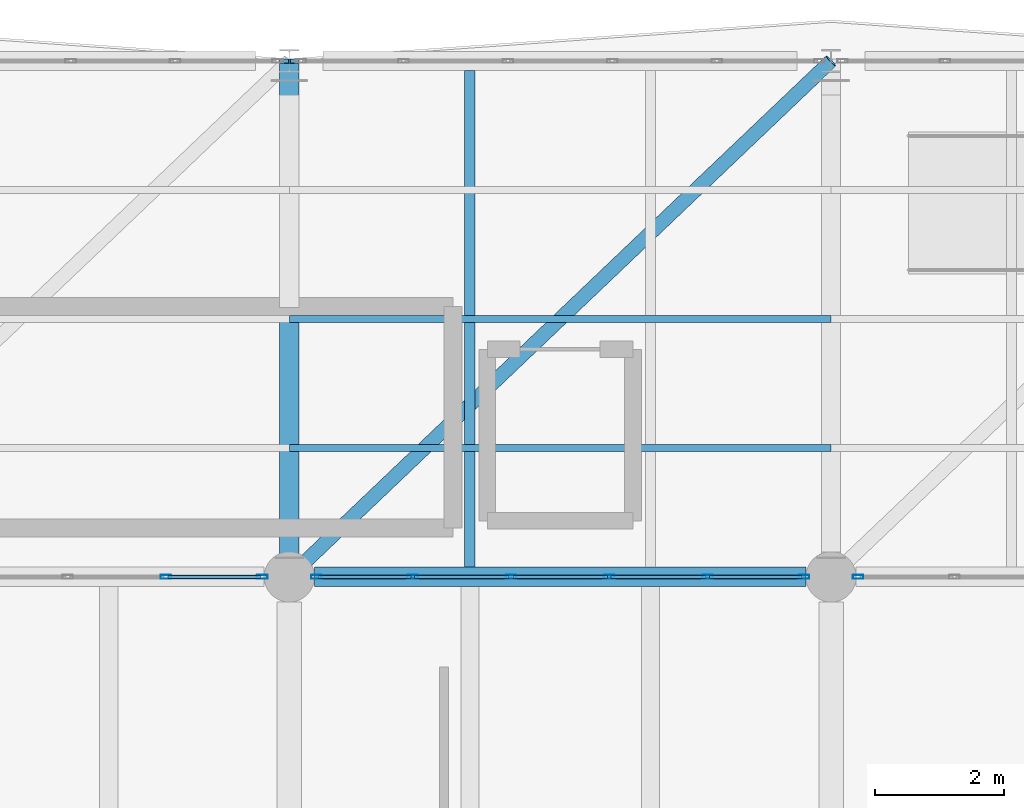
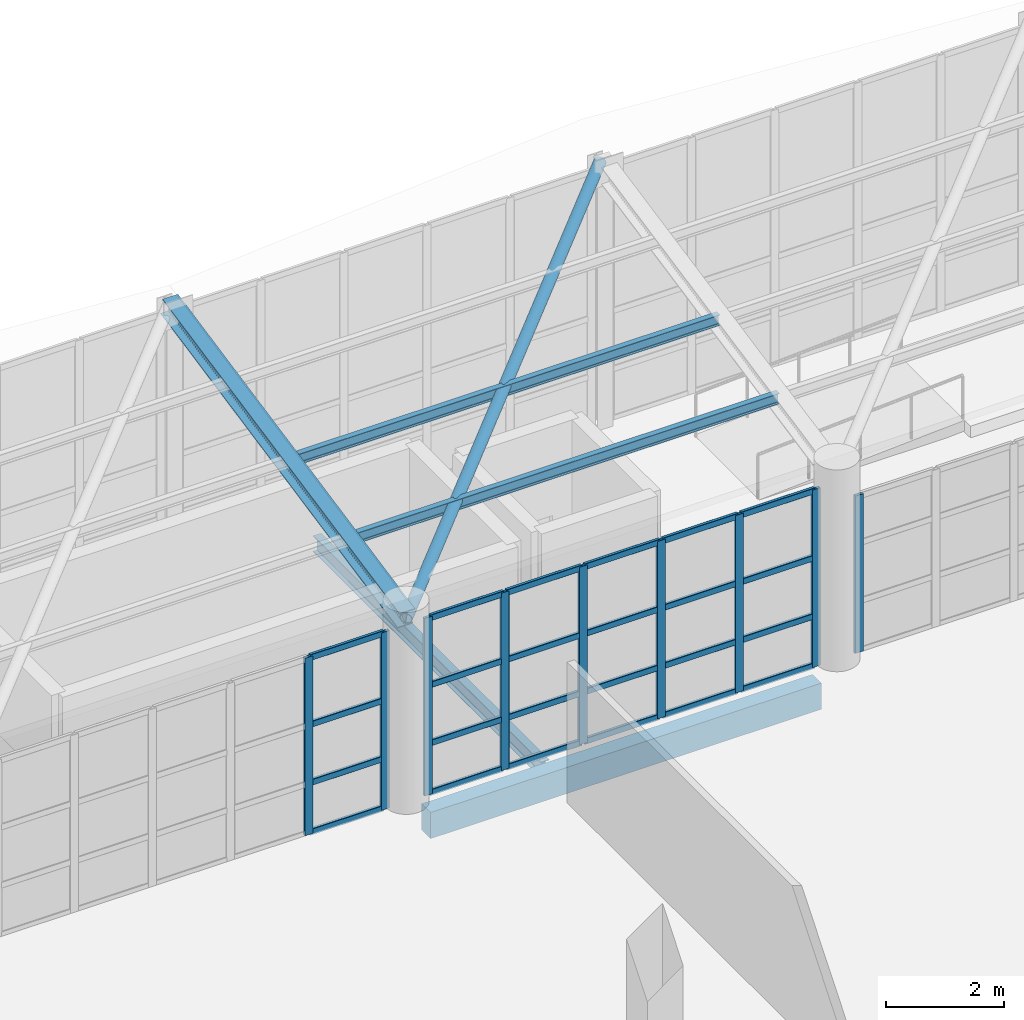
# One storey, part 93 of 177: 37 members, 2 beams, 3 elements without a shape of their own.
"""IFC4 building model written with IfcOpenShell, lengths in metres."""

import ifcopenshell
import ifcopenshell.guid

model = None  # the IFC model being written
_history = None  # IfcOwnerHistory: only IFC2X3 demands one
_inside = {}  # id of a spatial element -> (the spatial element, [elements in it])
_under = {}  # id of a project, library or spatial element -> (it, [spatial elements below it])
_declared = {}  # id of a project -> (the project, [libraries it declares])
_typed = {}  # id of a type object -> (the type object, [elements of that type])
_made_of = {}  # id of a material, layer set ... -> (it, [elements and type objects made of it])


def new_model(schema):
    """Start an empty IFC model of exactly this schema.

    Asked for "IFC4X3", IfcOpenShell would pick the latest addendum, in which some entities
    have other attributes; the version numbers below select the first issue.
    IFC2X3 requires an IfcOwnerHistory on every rooted entity: one is made here for all.
    """
    global model, _history
    if schema == "IFC4X3":
        model = ifcopenshell.file(schema_version=(4, 3, 0, 0))
    else:
        model = ifcopenshell.file(schema=schema)
    _inside.clear()
    _under.clear()
    _declared.clear()
    _typed.clear()
    _made_of.clear()
    _history = None
    if model.schema == "IFC2X3":
        org = make("IfcOrganization", Name="unknown")
        user = make(
            "IfcPersonAndOrganization",
            ThePerson=make("IfcPerson", FamilyName="unknown"),
            TheOrganization=org,
        )
        app = make(
            "IfcApplication",
            ApplicationDeveloper=org,
            Version="unknown",
            ApplicationFullName="unknown",
            ApplicationIdentifier="unknown",
        )
        _history = make(
            "IfcOwnerHistory",
            OwningUser=user,
            OwningApplication=app,
            ChangeAction="ADDED",
            CreationDate=0,
        )
    return model


def make(cls, **values):
    """One entity of the class cls with the attributes given. An attribute that is None is left unset."""
    return model.create_entity(
        cls, **{name: value for name, value in values.items() if value is not None}
    )


def rooted(cls, **values):
    """An entity with a GlobalId (a new one), such as an element, a storey or a relation."""
    return make(cls, GlobalId=ifcopenshell.guid.new(), OwnerHistory=_history, **values)


def si_unit(unit_type, name, prefix=None):
    """IfcSIUnit, for example si_unit("LENGTHUNIT", "METRE", prefix="MILLI")."""
    return make("IfcSIUnit", UnitType=unit_type, Prefix=prefix, Name=name)


def assignment(units):
    """IfcUnitAssignment: the units of a project."""
    return None if units is None else make("IfcUnitAssignment", Units=units)


def point(xyz):
    """IfcCartesianPoint."""
    return None if xyz is None else make("IfcCartesianPoint", Coordinates=xyz)


def direction(xyz):
    """IfcDirection."""
    return None if xyz is None else make("IfcDirection", DirectionRatios=xyz)


def frame(location, z_axis=None, x_axis=None):
    """IfcAxis2Placement3D, a coordinate frame: its origin and axes. An axis left out is left unset."""
    return make(
        "IfcAxis2Placement3D",
        Location=point(location),
        Axis=direction(z_axis),
        RefDirection=direction(x_axis),
    )


def frame_2d(location, x_axis=None):
    """IfcAxis2Placement2D, a coordinate frame in the plane: its origin and x axis."""
    return make(
        "IfcAxis2Placement2D", Location=point(location), RefDirection=direction(x_axis)
    )


def origin():
    """The frame at (0, 0, 0) with its axes left unset."""
    return frame((0.0, 0.0, 0.0))


def origin_2d():
    """The frame at (0, 0) in the plane with its x axis left unset."""
    return frame_2d((0.0, 0.0))


def place(relative_to, where):
    """IfcLocalPlacement: puts the frame where relative to a parent placement (None: the world)."""
    return make(
        "IfcLocalPlacement", PlacementRelTo=relative_to, RelativePlacement=where
    )


def context(
    kind, dimensions, precision=None, world=None, true_north=None, identifier=None
):
    """IfcGeometricRepresentationContext, for example the 3D "Model" context."""
    return make(
        "IfcGeometricRepresentationContext",
        ContextIdentifier=identifier,
        ContextType=kind,
        CoordinateSpaceDimension=dimensions,
        Precision=precision,
        WorldCoordinateSystem=world,
        TrueNorth=true_north,
    )


def subcontext(parent, identifier, kind, view, scale=None):
    """IfcGeometricRepresentationSubContext, for example "Body" below "Model"."""
    return make(
        "IfcGeometricRepresentationSubContext",
        ContextIdentifier=identifier,
        ContextType=kind,
        ParentContext=parent,
        TargetScale=scale,
        TargetView=view,
    )


def project(units=None, contexts=None):
    """IfcProject with its units and contexts."""
    return rooted(
        "IfcProject",
        Name="project",
        RepresentationContexts=contexts,
        UnitsInContext=assignment(units),
    )


def spatial(cls, under=None, at=None, **own):
    """A site, building, storey or space (cls), placed at a placement, below another one or the project."""
    s = rooted(cls, ObjectPlacement=at, **own)
    if under is not None:
        _under.setdefault(under.id(), (under, []))[1].append(s)
    return s


def profile(cls, at=None, kind="AREA", **sizes):
    """A parametric profile (cls). Its sizes go by their IFC names, for example OverallWidth=200.0."""
    return make(cls, ProfileType=kind, Position=at, **sizes)


def rectangle(**sizes):
    """IfcRectangleProfileDef."""
    return profile("IfcRectangleProfileDef", **sizes)


def hollow_rectangle(**sizes):
    """IfcRectangleHollowProfileDef."""
    return profile("IfcRectangleHollowProfileDef", **sizes)


def hollow_circle(**sizes):
    """IfcCircleHollowProfileDef."""
    return profile("IfcCircleHollowProfileDef", **sizes)


def i_section(**sizes):
    """IfcIShapeProfileDef."""
    return profile("IfcIShapeProfileDef", **sizes)


def extrude(swept, where, along, depth):
    """IfcExtrudedAreaSolid: the profile swept, set in the frame where, extruded along a direction by depth."""
    return make(
        "IfcExtrudedAreaSolid",
        SweptArea=swept,
        Position=where,
        ExtrudedDirection=direction(along),
        Depth=depth,
    )


def shape(context_of_items, identifier, shape_type, items):
    """IfcShapeRepresentation: the items that make up one representation, for example the "Body"."""
    return make(
        "IfcShapeRepresentation",
        ContextOfItems=context_of_items,
        RepresentationIdentifier=identifier,
        RepresentationType=shape_type,
        Items=items,
    )


def material(Name=None, Category=None):
    """IfcMaterial."""
    return make("IfcMaterial", Name=Name, Category=Category)


def layer(
    of_material, thickness, ventilated=None, Name=None, Category=None, Priority=None
):
    """IfcMaterialLayer: one layer of a wall or slab, of a material (None: an air gap)."""
    return make(
        "IfcMaterialLayer",
        Material=of_material,
        LayerThickness=thickness,
        IsVentilated=ventilated,
        Name=Name,
        Category=Category,
        Priority=Priority,
    )


def layer_set(layers, Name=None):
    """IfcMaterialLayerSet."""
    return make("IfcMaterialLayerSet", MaterialLayers=layers, LayerSetName=Name)


def material_profile(
    of_material, cross_section, Name=None, Category=None, Priority=None
):
    """IfcMaterialProfile: a cross section and its material."""
    return make(
        "IfcMaterialProfile",
        Name=Name,
        Material=of_material,
        Profile=cross_section,
        Priority=Priority,
        Category=Category,
    )


def profile_set(profiles, Name=None, composite=None):
    """IfcMaterialProfileSet."""
    return make(
        "IfcMaterialProfileSet",
        Name=Name,
        MaterialProfiles=profiles,
        CompositeProfile=composite,
    )


def made_of(thing, what):
    """Note that an element or type object is made of a material, layer set ...; save() writes the relation."""
    if what is not None:
        _made_of.setdefault(what.id(), (what, []))[1].append(thing)
    return thing


def type_object(cls, material=None, **own):
    """A type object (cls), such as IfcWallType, which elements share."""
    return made_of(rooted(cls, **own), material)


def element(
    cls,
    number,
    at=None,
    inside=None,
    cuts=None,
    type_object=None,
    material=None,
    context=None,
    identifier="Body",
    shape_type=None,
    held_by="IfcProductDefinitionShape",
    body=None,
    shapes=None,
    **own,
):
    """One element of the class cls, such as IfcWall. Its Tag is "e" and its number.

    at: its placement. inside: the storey or other place that contains it. cuts: it is an
    opening in that element (IfcRelVoidsElement). A single representation is given by context,
    identifier, shape_type and body (its items); several are given by shapes. held_by: the class
    of the entity that holds the representations. save() writes the other relations.
    """
    e = rooted(cls, Tag="e%d" % number, ObjectPlacement=at, **own)
    if body is not None:
        shapes = [shape(context, identifier, shape_type, body)]
    if shapes is not None:
        e.Representation = make(held_by, Representations=shapes)
    if inside is not None:
        _inside.setdefault(inside.id(), (inside, []))[1].append(e)
    if cuts is not None:
        rooted(
            "IfcRelVoidsElement", RelatingBuildingElement=cuts, RelatedOpeningElement=e
        )
    if type_object is not None:
        _typed.setdefault(type_object.id(), (type_object, []))[1].append(e)
    return made_of(e, material)


def aggregate(whole, parts):
    """IfcRelAggregates: a whole, such as a stair, and the parts it consists of."""
    return rooted("IfcRelAggregates", RelatingObject=whole, RelatedObjects=parts)


def save(model, path):
    """Write the relations noted so far, then the file.

    IfcRelAggregates (storeys below a building ...), IfcRelContainedInSpatialStructure (elements
    in a storey), IfcRelDefinesByType, IfcRelAssociatesMaterial and IfcRelDeclares: one each for
    every whole, place, type object, material and project.
    """
    for whole, parts in _under.values():
        aggregate(whole, parts)
    for where, things in _inside.values():
        rooted(
            "IfcRelContainedInSpatialStructure",
            RelatedElements=things,
            RelatingStructure=where,
        )
    for kind, things in _typed.values():
        rooted("IfcRelDefinesByType", RelatedObjects=things, RelatingType=kind)
    for what, things in _made_of.values():
        rooted("IfcRelAssociatesMaterial", RelatedObjects=things, RelatingMaterial=what)
    for by, libraries in _declared.values():
        rooted("IfcRelDeclares", RelatingContext=by, RelatedDefinitions=libraries)
    model.write(path)


model = new_model("IFC4")

# Units and contexts
model_context = context("Model", 3, precision=1e-05, world=origin(), true_north=direction((0.0, 1.0)))
body_context = subcontext(model_context, "Body", "Model", "MODEL_VIEW")
ifc_project = project(units=[si_unit("LENGTHUNIT", "METRE"), si_unit("AREAUNIT", "SQUARE_METRE"), si_unit("VOLUMEUNIT", "CUBIC_METRE"), si_unit("PLANEANGLEUNIT", "RADIAN"), si_unit("MASSUNIT", "GRAM", prefix="KILO"), si_unit("THERMODYNAMICTEMPERATUREUNIT", "KELVIN"), si_unit("POWERUNIT", "WATT")], contexts=[model_context])

# Site, building, storey
site_placement = place(None, origin())
site = spatial("IfcSite", under=ifc_project, at=site_placement, CompositionType="ELEMENT")
building_placement = place(site_placement, origin())
building = spatial("IfcBuilding", under=site, at=building_placement, Name="Mavoryth Pier Ferry Terminal", CompositionType="ELEMENT")
storey_placement = place(building_placement, frame((0.0, 0.0, 5.43994140625)))
storey = spatial("IfcBuildingStorey", under=building, at=storey_placement, Name="L01", CompositionType="ELEMENT", Elevation=5.43994140625)

# Member
ifc_material_1 = material(Name="Steel S355J2", Category="steel")
ifc_material_profile_1 = material_profile(ifc_material_1, hollow_circle(Radius=0.109619140625, WallThickness=0.010009765625, at=origin_2d()), Name="CHS 219.1x10.0", Category="steel")
ifc_profile_set_1 = profile_set([ifc_material_profile_1], Name="Steel S355J2 - CHS 219.1x10.0")
member_type_1 = type_object("IfcMemberType", Name="Brace-Diag-CHS219", PredefinedType="BRACE", material=ifc_profile_set_1)
member_1_placement = place(storey_placement, frame((67.199951171875, 106.0, 3.771240234375), z_axis=(0.717118778547, 0.682958355435, 0.138955180532), x_axis=(-0.689648865971, 0.724143937118, 0.0)))
element("IfcMember", 1, at=member_1_placement, inside=storey, type_object=member_type_1, Name="Steel Member MB-L01-0261", PredefinedType="BRACE", context=body_context, shape_type="SweptSolid", body=[
    extrude(hollow_circle(Radius=0.109619140625, WallThickness=0.010009765625, at=origin_2d()), origin(), (0.0, 0.0, 1.0), 11.713623046875),
])

# Beam
ifc_material_profile_2 = material_profile(ifc_material_1, i_section(OverallWidth=0.159912109375, OverallDepth=0.330078125, WebThickness=0.007568359375, FlangeThickness=0.011474609375, FilletRadius=0.01806640625, at=origin_2d()), Name="IPE 330", Category="steel")
ifc_profile_set_2 = profile_set([ifc_material_profile_2], Name="Steel S355J2 - IPE 330")
beam_type_1 = type_object("IfcBeamType", Name="Joist-Steel-IPE330", PredefinedType="JOIST", material=ifc_profile_set_2)
beam_1_placement = place(storey_placement, frame((70.0, 106.14990234375, -0.405029296875), z_axis=(0.0, 1.0, 0.0), x_axis=(-1.0, 0.0, 0.0)))
element("IfcBeam", 2, at=beam_1_placement, inside=storey, type_object=beam_type_1, Name="Beam B01-SJ03-0293", PredefinedType="JOIST", context=body_context, shape_type="SweptSolid", body=[
    extrude(i_section(OverallWidth=0.159912109375, OverallDepth=0.330078125, WebThickness=0.007568359375, FlangeThickness=0.011474609375, FilletRadius=0.01806640625, at=origin_2d()), origin(), (0.0, 0.0, 1.0), 7.7001953125),
])

# Curtain wall, members
ifc_material_2 = material(Name="Anodised Aluminium and Solar-Control Low-E Glass", Category="aluminium")
ifc_layer = layer(ifc_material_2, 0.159912109375, Name="Anodised Aluminium and Solar-Control Low-E Glass", Category="aluminium")
ifc_layer_set = layer_set([ifc_layer], Name="Anodised Aluminium and Solar-Control Low-E Glass - CW-Arrivals-Mod1400")
curtain_wall_type = type_object("IfcCurtainWallType", Name="CW-Arrivals-Mod1400", PredefinedType="USERDEFINED", material=ifc_layer_set)
curtain_wall_1_placement = place(storey_placement, origin())
curtain_wall_1 = element("IfcCurtainWall", 3, at=curtain_wall_1_placement, inside=storey, type_object=curtain_wall_type, Name="Curtain Wall CW-0122-052", ObjectType="UNITISED CURTAIN WALL", PredefinedType="USERDEFINED")
ifc_material_3 = material(Name="Anodised Aluminium EN AW-6063", Category="aluminium")
ifc_material_profile_3 = material_profile(ifc_material_3, hollow_rectangle(XDim=0.06005859375, YDim=0.1650390625, WallThickness=0.00390625, InnerFilletRadius=0.00390625, OuterFilletRadius=0.008056640625, at=origin_2d()), Name="AL-MULL 165x60x4", Category="aluminium")
ifc_profile_set_3 = profile_set([ifc_material_profile_3], Name="Anodised Aluminium EN AW-6063 - AL-MULL 165x60x4")
member_type_2 = type_object("IfcMemberType", Name="Mullion-Alum-165x60", PredefinedType="MULLION", material=ifc_profile_set_3)
member_2_placement = place(storey_placement, frame((66.780029296875, 106.0, 0.0), z_axis=(0.0, 0.0, 1.0), x_axis=(0.0, -1.0, 0.0)))
member_2 = element("IfcMember", 4, at=member_2_placement, type_object=member_type_2, Name="CW04 mullion 1", PredefinedType="MULLION", context=body_context, shape_type="SweptSolid", body=[
    extrude(hollow_rectangle(XDim=0.06005859375, YDim=0.1650390625, WallThickness=0.00390625, InnerFilletRadius=0.00390625, OuterFilletRadius=0.008056640625, at=origin_2d()), origin(), (0.0, 0.0, 1.0), 3.66015625),
])
member_3_placement = place(storey_placement, frame((65.285888671875, 106.0, 0.0), z_axis=(0.0, 0.0, 1.0), x_axis=(0.0, -1.0, 0.0)))
member_3 = element("IfcMember", 5, at=member_3_placement, type_object=member_type_2, Name="CW04 mullion 2", PredefinedType="MULLION", context=body_context, shape_type="SweptSolid", body=[
    extrude(hollow_rectangle(XDim=0.06005859375, YDim=0.1650390625, WallThickness=0.00390625, InnerFilletRadius=0.00390625, OuterFilletRadius=0.008056640625, at=origin_2d()), origin(), (0.0, 0.0, 1.0), 3.66015625),
])

curtain_wall_2_placement = place(storey_placement, origin())
curtain_wall_2 = element("IfcCurtainWall", 6, at=curtain_wall_2_placement, inside=storey, type_object=curtain_wall_type, Name="Curtain Wall CW-0122-055", ObjectType="UNITISED CURTAIN WALL", PredefinedType="USERDEFINED")
member_4_placement = place(storey_placement, frame((75.179931640625, 106.0, 0.0), z_axis=(0.0, 0.0, 1.0), x_axis=(0.0, -1.0, 0.0)))
member_4 = element("IfcMember", 7, at=member_4_placement, type_object=member_type_2, Name="CW04 mullion 1", PredefinedType="MULLION", context=body_context, shape_type="SweptSolid", body=[
    extrude(hollow_rectangle(XDim=0.06005859375, YDim=0.1650390625, WallThickness=0.00390625, InnerFilletRadius=0.00390625, OuterFilletRadius=0.008056640625, at=origin_2d()), origin(), (0.0, 0.0, 1.0), 3.66015625),
])
member_5_placement = place(storey_placement, frame((73.68603515625, 106.0, 0.0), z_axis=(0.0, 0.0, 1.0), x_axis=(0.0, -1.0, 0.0)))
member_5 = element("IfcMember", 8, at=member_5_placement, type_object=member_type_2, Name="CW04 mullion 2", PredefinedType="MULLION", context=body_context, shape_type="SweptSolid", body=[
    extrude(hollow_rectangle(XDim=0.06005859375, YDim=0.1650390625, WallThickness=0.00390625, InnerFilletRadius=0.00390625, OuterFilletRadius=0.008056640625, at=origin_2d()), origin(), (0.0, 0.0, 1.0), 3.66015625),
])
member_6_placement = place(storey_placement, frame((72.162109375, 106.0, 0.0), z_axis=(0.0, 0.0, 1.0), x_axis=(0.0, -1.0, 0.0)))
member_6 = element("IfcMember", 9, at=member_6_placement, type_object=member_type_2, Name="CW04 mullion 3", PredefinedType="MULLION", context=body_context, shape_type="SweptSolid", body=[
    extrude(hollow_rectangle(XDim=0.06005859375, YDim=0.1650390625, WallThickness=0.00390625, InnerFilletRadius=0.00390625, OuterFilletRadius=0.008056640625, at=origin_2d()), origin(), (0.0, 0.0, 1.0), 3.66015625),
])
member_7_placement = place(storey_placement, frame((70.637939453125, 106.0, 0.0), z_axis=(0.0, 0.0, 1.0), x_axis=(0.0, -1.0, 0.0)))
member_7 = element("IfcMember", 10, at=member_7_placement, type_object=member_type_2, Name="CW04 mullion 4", PredefinedType="MULLION", context=body_context, shape_type="SweptSolid", body=[
    extrude(hollow_rectangle(XDim=0.06005859375, YDim=0.1650390625, WallThickness=0.00390625, InnerFilletRadius=0.00390625, OuterFilletRadius=0.008056640625, at=origin_2d()), origin(), (0.0, 0.0, 1.0), 3.66015625),
])
member_8_placement = place(storey_placement, frame((69.114013671875, 106.0, 0.0), z_axis=(0.0, 0.0, 1.0), x_axis=(0.0, -1.0, 0.0)))
member_8 = element("IfcMember", 11, at=member_8_placement, type_object=member_type_2, Name="CW04 mullion 5", PredefinedType="MULLION", context=body_context, shape_type="SweptSolid", body=[
    extrude(hollow_rectangle(XDim=0.06005859375, YDim=0.1650390625, WallThickness=0.00390625, InnerFilletRadius=0.00390625, OuterFilletRadius=0.008056640625, at=origin_2d()), origin(), (0.0, 0.0, 1.0), 3.66015625),
])
member_9_placement = place(storey_placement, frame((67.6201171875, 106.0, 0.0), z_axis=(0.0, 0.0, 1.0), x_axis=(0.0, -1.0, 0.0)))
member_9 = element("IfcMember", 12, at=member_9_placement, type_object=member_type_2, Name="CW04 mullion 6", PredefinedType="MULLION", context=body_context, shape_type="SweptSolid", body=[
    extrude(hollow_rectangle(XDim=0.06005859375, YDim=0.1650390625, WallThickness=0.00390625, InnerFilletRadius=0.00390625, OuterFilletRadius=0.008056640625, at=origin_2d()), origin(), (0.0, 0.0, 1.0), 3.66015625),
])

# Curtain wall, member
curtain_wall_3_placement = place(storey_placement, origin())
curtain_wall_3 = element("IfcCurtainWall", 13, at=curtain_wall_3_placement, inside=storey, type_object=curtain_wall_type, Name="Curtain Wall CW-0122-058", ObjectType="UNITISED CURTAIN WALL", PredefinedType="USERDEFINED")
member_10_placement = place(storey_placement, frame((76.02001953125, 106.0, 0.0), z_axis=(0.0, 0.0, 1.0), x_axis=(0.0, -1.0, 0.0)))
member_10 = element("IfcMember", 14, at=member_10_placement, type_object=member_type_2, Name="CW04 mullion 6", PredefinedType="MULLION", context=body_context, shape_type="SweptSolid", body=[
    extrude(hollow_rectangle(XDim=0.06005859375, YDim=0.1650390625, WallThickness=0.00390625, InnerFilletRadius=0.00390625, OuterFilletRadius=0.008056640625, at=origin_2d()), origin(), (0.0, 0.0, 1.0), 3.2451171875),
])
aggregate(curtain_wall_3, [member_10])

# Members
ifc_material_profile_4 = material_profile(ifc_material_1, i_section(OverallWidth=0.110107421875, OverallDepth=0.219970703125, WebThickness=0.005859375, FlangeThickness=0.00927734375, FilletRadius=0.011962890625, at=origin_2d()), Name="IPE 220", Category="steel")
ifc_profile_set_4 = profile_set([ifc_material_profile_4], Name="Steel S355J2 - IPE 220")
member_type_3 = type_object("IfcMemberType", Name="Purlin-Roof-IPE220", PredefinedType="PURLIN", material=ifc_profile_set_4)
for number, where, z_axis, x_axis, name in (
    (15, (67.199951171875, 108.0, 4.17822265625), (1.0, 0.0, 0.0), (0.0, 1.0, 0.0), "Steel Member MB-L01-0258"),
    (16, (67.199951171875, 110.0, 4.5849609375), (1.0, 0.0, 0.0), (0.0, 1.0, 0.0), "Steel Member MB-L01-0259"),
):
    element("IfcMember", number, at=place(storey_placement, frame(where, z_axis=z_axis, x_axis=x_axis)), inside=storey, type_object=member_type_3, Name=name, PredefinedType="PURLIN", context=body_context, shape_type="SweptSolid", body=[
        extrude(i_section(OverallWidth=0.110107421875, OverallDepth=0.219970703125, WebThickness=0.005859375, FlangeThickness=0.00927734375, FilletRadius=0.011962890625, at=origin_2d()), origin(), (0.0, 0.0, 1.0), 8.400146484375),
    ])
ifc_material_profile_5 = material_profile(ifc_material_1, i_section(OverallWidth=0.300048828125, OverallDepth=0.35009765625, WebThickness=0.010009765625, FlangeThickness=0.017578125, FilletRadius=0.027099609375, at=origin_2d()), Name="HEA 360", Category="steel")
ifc_profile_set_5 = profile_set([ifc_material_profile_5], Name="Steel S355J2 - HEA 360")
member_type_4 = type_object("IfcMemberType", Name="Rafter-Gallery-HEA360", PredefinedType="RAFTER", material=ifc_profile_set_5)
member_11_placement = place(storey_placement, frame((67.199951171875, 106.0, 3.771240234375), z_axis=(0.0, 0.979923097627, 0.199375832882), x_axis=(-1.0, 0.0, 0.0)))
element("IfcMember", 17, at=member_11_placement, inside=storey, type_object=member_type_4, Name="Steel Member MB-L01-0239", PredefinedType="RAFTER", context=body_context, shape_type="SweptSolid", body=[
    extrude(i_section(OverallWidth=0.300048828125, OverallDepth=0.35009765625, WebThickness=0.010009765625, FlangeThickness=0.017578125, FilletRadius=0.027099609375, at=origin_2d()), origin(), (0.0, 0.0, 1.0), 8.163818359375),
])

# Beam
ifc_material_4 = material(Name="Concrete C35/45", Category="concrete")
ifc_material_profile_6 = material_profile(ifc_material_4, rectangle(XDim=0.300048828125, YDim=0.5400390625, at=origin_2d()), Name="RC 300x540", Category="concrete")
ifc_profile_set_6 = profile_set([ifc_material_profile_6], Name="Concrete C35/45 - RC 300x540")
beam_type_2 = type_object("IfcBeamType", Name="Spandrel-RC-300x540", PredefinedType="SPANDREL", material=ifc_profile_set_6)
beam_2_placement = place(storey_placement, frame((67.590087890625, 106.0, -0.550048828125), z_axis=(1.0, 0.0, 0.0), x_axis=(0.0, 1.0, 0.0)))
element("IfcBeam", 18, at=beam_2_placement, inside=storey, type_object=beam_type_2, Name="Beam B01-SP02-0201", PredefinedType="SPANDREL", context=body_context, shape_type="SweptSolid", body=[
    extrude(rectangle(XDim=0.300048828125, YDim=0.5400390625, at=origin_2d()), origin(), (0.0, 0.0, 1.0), 7.619873046875),
])

# Member
ifc_material_profile_7 = material_profile(ifc_material_3, hollow_rectangle(XDim=0.06005859375, YDim=0.125, WallThickness=0.00390625, InnerFilletRadius=0.00390625, OuterFilletRadius=0.008056640625, at=origin_2d()), Name="AL-TRAN 125x60x4", Category="aluminium")
ifc_profile_set_7 = profile_set([ifc_material_profile_7], Name="Anodised Aluminium EN AW-6063 - AL-TRAN 125x60x4")
member_type_5 = type_object("IfcMemberType", Name="Transom-Alum-125x60", PredefinedType="USERDEFINED", material=ifc_profile_set_7)
member_12_placement = place(storey_placement, frame((66.75, 106.0, 0.030029296875), z_axis=(-1.0, 0.0, 0.0), x_axis=(0.0, -1.0, 0.0)))
member_12 = element("IfcMember", 19, at=member_12_placement, type_object=member_type_5, Name="CW04 transom 1.1", ObjectType="TRANSOM", PredefinedType="USERDEFINED", context=body_context, shape_type="SweptSolid", body=[
    extrude(hollow_rectangle(XDim=0.06005859375, YDim=0.125, WallThickness=0.00390625, InnerFilletRadius=0.00390625, OuterFilletRadius=0.008056640625, at=origin_2d()), origin(), (0.0, 0.0, 1.0), 1.43408203125),
])

member_13_placement = place(storey_placement, frame((66.75, 106.0, 1.050048828125), z_axis=(-1.0, 0.0, 0.0), x_axis=(0.0, -1.0, 0.0)))
member_13 = element("IfcMember", 20, at=member_13_placement, type_object=member_type_5, Name="CW04 transom 1.2", ObjectType="TRANSOM", PredefinedType="USERDEFINED", context=body_context, shape_type="SweptSolid", body=[
    extrude(hollow_rectangle(XDim=0.06005859375, YDim=0.125, WallThickness=0.00390625, InnerFilletRadius=0.00390625, OuterFilletRadius=0.008056640625, at=origin_2d()), origin(), (0.0, 0.0, 1.0), 1.43408203125),
])

member_14_placement = place(storey_placement, frame((66.75, 106.0, 2.25), z_axis=(-1.0, 0.0, 0.0), x_axis=(0.0, -1.0, 0.0)))
member_14 = element("IfcMember", 21, at=member_14_placement, type_object=member_type_5, Name="CW04 transom 1.3", ObjectType="TRANSOM", PredefinedType="USERDEFINED", context=body_context, shape_type="SweptSolid", body=[
    extrude(hollow_rectangle(XDim=0.06005859375, YDim=0.125, WallThickness=0.00390625, InnerFilletRadius=0.00390625, OuterFilletRadius=0.008056640625, at=origin_2d()), origin(), (0.0, 0.0, 1.0), 1.43408203125),
])

member_15_placement = place(storey_placement, frame((66.75, 106.0, 3.630126953125), z_axis=(-1.0, 0.0, 0.0), x_axis=(0.0, -1.0, 0.0)))
member_15 = element("IfcMember", 22, at=member_15_placement, type_object=member_type_5, Name="CW04 transom 1.4", ObjectType="TRANSOM", PredefinedType="USERDEFINED", context=body_context, shape_type="SweptSolid", body=[
    extrude(hollow_rectangle(XDim=0.06005859375, YDim=0.125, WallThickness=0.00390625, InnerFilletRadius=0.00390625, OuterFilletRadius=0.008056640625, at=origin_2d()), origin(), (0.0, 0.0, 1.0), 1.43408203125),
])

aggregate(curtain_wall_1, [member_2, member_3, member_12, member_13, member_14, member_15])

member_16_placement = place(storey_placement, frame((75.14990234375, 106.0, 0.030029296875), z_axis=(-1.0, 0.0, 0.0), x_axis=(0.0, -1.0, 0.0)))
member_16 = element("IfcMember", 23, at=member_16_placement, type_object=member_type_5, Name="CW04 transom 1.1", ObjectType="TRANSOM", PredefinedType="USERDEFINED", context=body_context, shape_type="SweptSolid", body=[
    extrude(hollow_rectangle(XDim=0.06005859375, YDim=0.125, WallThickness=0.00390625, InnerFilletRadius=0.00390625, OuterFilletRadius=0.008056640625, at=origin_2d()), origin(), (0.0, 0.0, 1.0), 1.433837890625),
])

member_17_placement = place(storey_placement, frame((75.14990234375, 106.0, 1.050048828125), z_axis=(-1.0, 0.0, 0.0), x_axis=(0.0, -1.0, 0.0)))
member_17 = element("IfcMember", 24, at=member_17_placement, type_object=member_type_5, Name="CW04 transom 1.2", ObjectType="TRANSOM", PredefinedType="USERDEFINED", context=body_context, shape_type="SweptSolid", body=[
    extrude(hollow_rectangle(XDim=0.06005859375, YDim=0.125, WallThickness=0.00390625, InnerFilletRadius=0.00390625, OuterFilletRadius=0.008056640625, at=origin_2d()), origin(), (0.0, 0.0, 1.0), 1.433837890625),
])

member_18_placement = place(storey_placement, frame((75.14990234375, 106.0, 2.25), z_axis=(-1.0, 0.0, 0.0), x_axis=(0.0, -1.0, 0.0)))
member_18 = element("IfcMember", 25, at=member_18_placement, type_object=member_type_5, Name="CW04 transom 1.3", ObjectType="TRANSOM", PredefinedType="USERDEFINED", context=body_context, shape_type="SweptSolid", body=[
    extrude(hollow_rectangle(XDim=0.06005859375, YDim=0.125, WallThickness=0.00390625, InnerFilletRadius=0.00390625, OuterFilletRadius=0.008056640625, at=origin_2d()), origin(), (0.0, 0.0, 1.0), 1.433837890625),
])

member_19_placement = place(storey_placement, frame((75.14990234375, 106.0, 3.630126953125), z_axis=(-1.0, 0.0, 0.0), x_axis=(0.0, -1.0, 0.0)))
member_19 = element("IfcMember", 26, at=member_19_placement, type_object=member_type_5, Name="CW04 transom 1.4", ObjectType="TRANSOM", PredefinedType="USERDEFINED", context=body_context, shape_type="SweptSolid", body=[
    extrude(hollow_rectangle(XDim=0.06005859375, YDim=0.125, WallThickness=0.00390625, InnerFilletRadius=0.00390625, OuterFilletRadius=0.008056640625, at=origin_2d()), origin(), (0.0, 0.0, 1.0), 1.433837890625),
])

member_20_placement = place(storey_placement, frame((73.656005859375, 106.0, 0.030029296875), z_axis=(-1.0, 0.0, 0.0), x_axis=(0.0, -1.0, 0.0)))
member_20 = element("IfcMember", 27, at=member_20_placement, type_object=member_type_5, Name="CW04 transom 2.1", ObjectType="TRANSOM", PredefinedType="USERDEFINED", context=body_context, shape_type="SweptSolid", body=[
    extrude(hollow_rectangle(XDim=0.06005859375, YDim=0.125, WallThickness=0.00390625, InnerFilletRadius=0.00390625, OuterFilletRadius=0.008056640625, at=origin_2d()), origin(), (0.0, 0.0, 1.0), 1.464111328125),
])

member_21_placement = place(storey_placement, frame((73.656005859375, 106.0, 1.050048828125), z_axis=(-1.0, 0.0, 0.0), x_axis=(0.0, -1.0, 0.0)))
member_21 = element("IfcMember", 28, at=member_21_placement, type_object=member_type_5, Name="CW04 transom 2.2", ObjectType="TRANSOM", PredefinedType="USERDEFINED", context=body_context, shape_type="SweptSolid", body=[
    extrude(hollow_rectangle(XDim=0.06005859375, YDim=0.125, WallThickness=0.00390625, InnerFilletRadius=0.00390625, OuterFilletRadius=0.008056640625, at=origin_2d()), origin(), (0.0, 0.0, 1.0), 1.464111328125),
])

member_22_placement = place(storey_placement, frame((73.656005859375, 106.0, 2.25), z_axis=(-1.0, 0.0, 0.0), x_axis=(0.0, -1.0, 0.0)))
member_22 = element("IfcMember", 29, at=member_22_placement, type_object=member_type_5, Name="CW04 transom 2.3", ObjectType="TRANSOM", PredefinedType="USERDEFINED", context=body_context, shape_type="SweptSolid", body=[
    extrude(hollow_rectangle(XDim=0.06005859375, YDim=0.125, WallThickness=0.00390625, InnerFilletRadius=0.00390625, OuterFilletRadius=0.008056640625, at=origin_2d()), origin(), (0.0, 0.0, 1.0), 1.464111328125),
])

member_23_placement = place(storey_placement, frame((73.656005859375, 106.0, 3.630126953125), z_axis=(-1.0, 0.0, 0.0), x_axis=(0.0, -1.0, 0.0)))
member_23 = element("IfcMember", 30, at=member_23_placement, type_object=member_type_5, Name="CW04 transom 2.4", ObjectType="TRANSOM", PredefinedType="USERDEFINED", context=body_context, shape_type="SweptSolid", body=[
    extrude(hollow_rectangle(XDim=0.06005859375, YDim=0.125, WallThickness=0.00390625, InnerFilletRadius=0.00390625, OuterFilletRadius=0.008056640625, at=origin_2d()), origin(), (0.0, 0.0, 1.0), 1.464111328125),
])

member_24_placement = place(storey_placement, frame((72.132080078125, 106.0, 0.030029296875), z_axis=(-1.0, 0.0, 0.0), x_axis=(0.0, -1.0, 0.0)))
member_24 = element("IfcMember", 31, at=member_24_placement, type_object=member_type_5, Name="CW04 transom 3.1", ObjectType="TRANSOM", PredefinedType="USERDEFINED", context=body_context, shape_type="SweptSolid", body=[
    extrude(hollow_rectangle(XDim=0.06005859375, YDim=0.125, WallThickness=0.00390625, InnerFilletRadius=0.00390625, OuterFilletRadius=0.008056640625, at=origin_2d()), origin(), (0.0, 0.0, 1.0), 1.464111328125),
])

member_25_placement = place(storey_placement, frame((72.132080078125, 106.0, 1.050048828125), z_axis=(-1.0, 0.0, 0.0), x_axis=(0.0, -1.0, 0.0)))
member_25 = element("IfcMember", 32, at=member_25_placement, type_object=member_type_5, Name="CW04 transom 3.2", ObjectType="TRANSOM", PredefinedType="USERDEFINED", context=body_context, shape_type="SweptSolid", body=[
    extrude(hollow_rectangle(XDim=0.06005859375, YDim=0.125, WallThickness=0.00390625, InnerFilletRadius=0.00390625, OuterFilletRadius=0.008056640625, at=origin_2d()), origin(), (0.0, 0.0, 1.0), 1.464111328125),
])

member_26_placement = place(storey_placement, frame((72.132080078125, 106.0, 2.25), z_axis=(-1.0, 0.0, 0.0), x_axis=(0.0, -1.0, 0.0)))
member_26 = element("IfcMember", 33, at=member_26_placement, type_object=member_type_5, Name="CW04 transom 3.3", ObjectType="TRANSOM", PredefinedType="USERDEFINED", context=body_context, shape_type="SweptSolid", body=[
    extrude(hollow_rectangle(XDim=0.06005859375, YDim=0.125, WallThickness=0.00390625, InnerFilletRadius=0.00390625, OuterFilletRadius=0.008056640625, at=origin_2d()), origin(), (0.0, 0.0, 1.0), 1.464111328125),
])

member_27_placement = place(storey_placement, frame((72.132080078125, 106.0, 3.630126953125), z_axis=(-1.0, 0.0, 0.0), x_axis=(0.0, -1.0, 0.0)))
member_27 = element("IfcMember", 34, at=member_27_placement, type_object=member_type_5, Name="CW04 transom 3.4", ObjectType="TRANSOM", PredefinedType="USERDEFINED", context=body_context, shape_type="SweptSolid", body=[
    extrude(hollow_rectangle(XDim=0.06005859375, YDim=0.125, WallThickness=0.00390625, InnerFilletRadius=0.00390625, OuterFilletRadius=0.008056640625, at=origin_2d()), origin(), (0.0, 0.0, 1.0), 1.464111328125),
])

member_28_placement = place(storey_placement, frame((70.60791015625, 106.0, 0.030029296875), z_axis=(-1.0, 0.0, 0.0), x_axis=(0.0, -1.0, 0.0)))
member_28 = element("IfcMember", 35, at=member_28_placement, type_object=member_type_5, Name="CW04 transom 4.1", ObjectType="TRANSOM", PredefinedType="USERDEFINED", context=body_context, shape_type="SweptSolid", body=[
    extrude(hollow_rectangle(XDim=0.06005859375, YDim=0.125, WallThickness=0.00390625, InnerFilletRadius=0.00390625, OuterFilletRadius=0.008056640625, at=origin_2d()), origin(), (0.0, 0.0, 1.0), 1.4638671875),
])

member_29_placement = place(storey_placement, frame((70.60791015625, 106.0, 1.050048828125), z_axis=(-1.0, 0.0, 0.0), x_axis=(0.0, -1.0, 0.0)))
member_29 = element("IfcMember", 36, at=member_29_placement, type_object=member_type_5, Name="CW04 transom 4.2", ObjectType="TRANSOM", PredefinedType="USERDEFINED", context=body_context, shape_type="SweptSolid", body=[
    extrude(hollow_rectangle(XDim=0.06005859375, YDim=0.125, WallThickness=0.00390625, InnerFilletRadius=0.00390625, OuterFilletRadius=0.008056640625, at=origin_2d()), origin(), (0.0, 0.0, 1.0), 1.4638671875),
])

member_30_placement = place(storey_placement, frame((70.60791015625, 106.0, 2.25), z_axis=(-1.0, 0.0, 0.0), x_axis=(0.0, -1.0, 0.0)))
member_30 = element("IfcMember", 37, at=member_30_placement, type_object=member_type_5, Name="CW04 transom 4.3", ObjectType="TRANSOM", PredefinedType="USERDEFINED", context=body_context, shape_type="SweptSolid", body=[
    extrude(hollow_rectangle(XDim=0.06005859375, YDim=0.125, WallThickness=0.00390625, InnerFilletRadius=0.00390625, OuterFilletRadius=0.008056640625, at=origin_2d()), origin(), (0.0, 0.0, 1.0), 1.4638671875),
])

member_31_placement = place(storey_placement, frame((70.60791015625, 106.0, 3.630126953125), z_axis=(-1.0, 0.0, 0.0), x_axis=(0.0, -1.0, 0.0)))
member_31 = element("IfcMember", 38, at=member_31_placement, type_object=member_type_5, Name="CW04 transom 4.4", ObjectType="TRANSOM", PredefinedType="USERDEFINED", context=body_context, shape_type="SweptSolid", body=[
    extrude(hollow_rectangle(XDim=0.06005859375, YDim=0.125, WallThickness=0.00390625, InnerFilletRadius=0.00390625, OuterFilletRadius=0.008056640625, at=origin_2d()), origin(), (0.0, 0.0, 1.0), 1.4638671875),
])

member_32_placement = place(storey_placement, frame((69.083984375, 106.0, 0.030029296875), z_axis=(-1.0, 0.0, 0.0), x_axis=(0.0, -1.0, 0.0)))
member_32 = element("IfcMember", 39, at=member_32_placement, type_object=member_type_5, Name="CW04 transom 5.1", ObjectType="TRANSOM", PredefinedType="USERDEFINED", context=body_context, shape_type="SweptSolid", body=[
    extrude(hollow_rectangle(XDim=0.06005859375, YDim=0.125, WallThickness=0.00390625, InnerFilletRadius=0.00390625, OuterFilletRadius=0.008056640625, at=origin_2d()), origin(), (0.0, 0.0, 1.0), 1.43408203125),
])

member_33_placement = place(storey_placement, frame((69.083984375, 106.0, 1.050048828125), z_axis=(-1.0, 0.0, 0.0), x_axis=(0.0, -1.0, 0.0)))
member_33 = element("IfcMember", 40, at=member_33_placement, type_object=member_type_5, Name="CW04 transom 5.2", ObjectType="TRANSOM", PredefinedType="USERDEFINED", context=body_context, shape_type="SweptSolid", body=[
    extrude(hollow_rectangle(XDim=0.06005859375, YDim=0.125, WallThickness=0.00390625, InnerFilletRadius=0.00390625, OuterFilletRadius=0.008056640625, at=origin_2d()), origin(), (0.0, 0.0, 1.0), 1.43408203125),
])

member_34_placement = place(storey_placement, frame((69.083984375, 106.0, 2.25), z_axis=(-1.0, 0.0, 0.0), x_axis=(0.0, -1.0, 0.0)))
member_34 = element("IfcMember", 41, at=member_34_placement, type_object=member_type_5, Name="CW04 transom 5.3", ObjectType="TRANSOM", PredefinedType="USERDEFINED", context=body_context, shape_type="SweptSolid", body=[
    extrude(hollow_rectangle(XDim=0.06005859375, YDim=0.125, WallThickness=0.00390625, InnerFilletRadius=0.00390625, OuterFilletRadius=0.008056640625, at=origin_2d()), origin(), (0.0, 0.0, 1.0), 1.43408203125),
])

member_35_placement = place(storey_placement, frame((69.083984375, 106.0, 3.630126953125), z_axis=(-1.0, 0.0, 0.0), x_axis=(0.0, -1.0, 0.0)))
member_35 = element("IfcMember", 42, at=member_35_placement, type_object=member_type_5, Name="CW04 transom 5.4", ObjectType="TRANSOM", PredefinedType="USERDEFINED", context=body_context, shape_type="SweptSolid", body=[
    extrude(hollow_rectangle(XDim=0.06005859375, YDim=0.125, WallThickness=0.00390625, InnerFilletRadius=0.00390625, OuterFilletRadius=0.008056640625, at=origin_2d()), origin(), (0.0, 0.0, 1.0), 1.43408203125),
])

aggregate(curtain_wall_2, [member_4, member_5, member_6, member_7, member_8, member_9, member_16, member_17, member_18, member_19, member_20, member_21, member_22, member_23, member_24, member_25, member_26, member_27, member_28, member_29, member_30, member_31, member_32, member_33, member_34, member_35])

save(model, "model.ifc")
